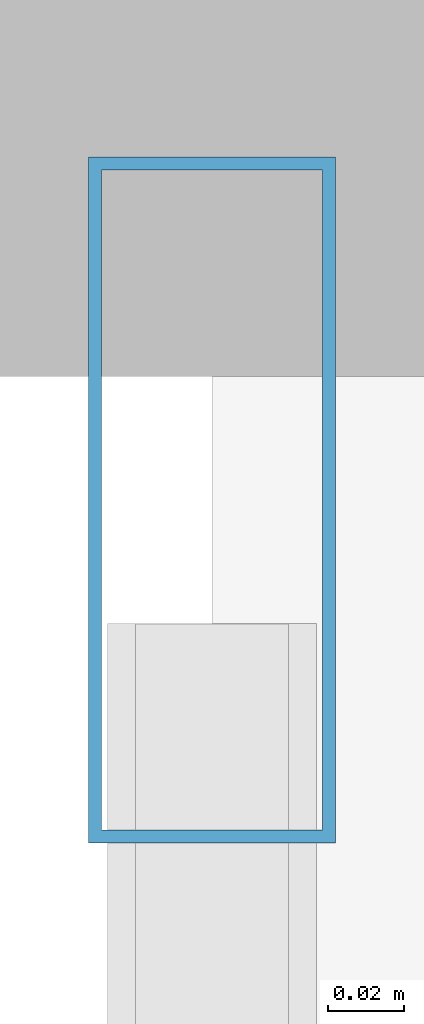
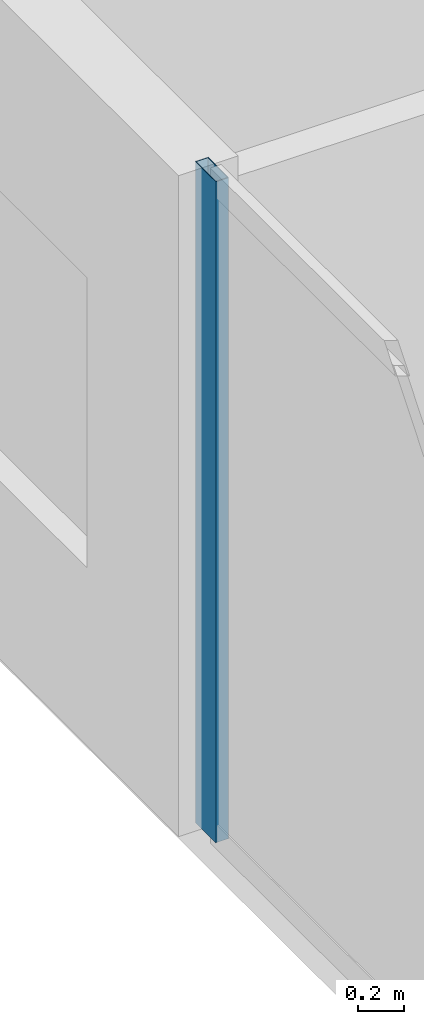
# One storey, part 15 of 32: 1 member, 1 element without a shape of its own.
"""IFC4 building model written with IfcOpenShell, lengths in metres."""

from ifc_helpers import new_model, si_unit, direction, frame, origin, origin_2d, place, context, subcontext, project, spatial, hollow_rectangle, extrude, material, layer, layer_set, material_profile, profile_set, type_object, element, aggregate, save


model = new_model("IFC4")

# Units and contexts
model_context = context("Model", 3, precision=1e-05, world=origin(), true_north=direction((0.0, 1.0)))
body_context = subcontext(model_context, "Body", "Model", "MODEL_VIEW")
ifc_project = project(units=[si_unit("LENGTHUNIT", "METRE"), si_unit("AREAUNIT", "SQUARE_METRE"), si_unit("VOLUMEUNIT", "CUBIC_METRE"), si_unit("PLANEANGLEUNIT", "RADIAN"), si_unit("MASSUNIT", "GRAM", prefix="KILO")], contexts=[model_context])

# Site, building, storey
site_placement = place(None, origin())
site = spatial("IfcSite", under=ifc_project, at=site_placement, CompositionType="ELEMENT")
building_placement = place(site_placement, origin())
building = spatial("IfcBuilding", under=site, at=building_placement, Name="Zuhayl Quay Hotel", CompositionType="ELEMENT")
storey_placement = place(building_placement, frame((0.0, 0.0, 226.14990234375)))
storey = spatial("IfcBuildingStorey", under=building, at=storey_placement, Name="L57", CompositionType="ELEMENT", Elevation=226.14990234375)

# Curtain wall, member
ifc_material_1 = material(Name="Anodised Aluminium 6063-T6", Category="aluminium")
ifc_layer = layer(ifc_material_1, 0.175048828125, Name="Anodised Aluminium 6063-T6", Category="aluminium")
ifc_layer_set = layer_set([ifc_layer], Name="Anodised Aluminium 6063-T6")
curtain_wall_type = type_object("IfcCurtainWallType", Name="CW_SYS_Z3", PredefinedType="USERDEFINED", material=ifc_layer_set)
curtain_wall_placement = place(storey_placement, origin())
curtain_wall = element("IfcCurtainWall", 1, at=curtain_wall_placement, inside=storey, type_object=curtain_wall_type, Name="L57 Curtain Wall ENV_L57_E05_CW1", ObjectType="UNITISED CURTAIN WALL", PredefinedType="USERDEFINED")
ifc_material_2 = material(Name="Black-anodised aluminium 6063-T6", Category="aluminium")
ifc_material_profile = material_profile(ifc_material_2, hollow_rectangle(XDim=0.06494140625, YDim=0.179931640625, WallThickness=0.00341796875, at=origin_2d()), Name="ALU180X65")
ifc_profile_set = profile_set([ifc_material_profile], Name="Black-anodised aluminium 6063-T6")
member_type = type_object("IfcMemberType", Name="MB_CW_MUL_180", PredefinedType="MULLION", material=ifc_profile_set)
member_placement = place(storey_placement, frame((-22.10009765625, 24.517578125, 0.0), z_axis=(0.0, 0.0, 1.0), x_axis=(-1.0, 0.0, 0.0)))
member = element("IfcMember", 2, at=member_placement, type_object=member_type, Name="CW-Z3 mullion 2", PredefinedType="MULLION", context=body_context, shape_type="SweptSolid", body=[
    extrude(hollow_rectangle(XDim=0.06494140625, YDim=0.179931640625, WallThickness=0.00341796875, at=origin_2d()), origin(), (0.0, 0.0, 1.0), 3.530029296875),
])
aggregate(curtain_wall, [member])

save(model, "model.ifc")
